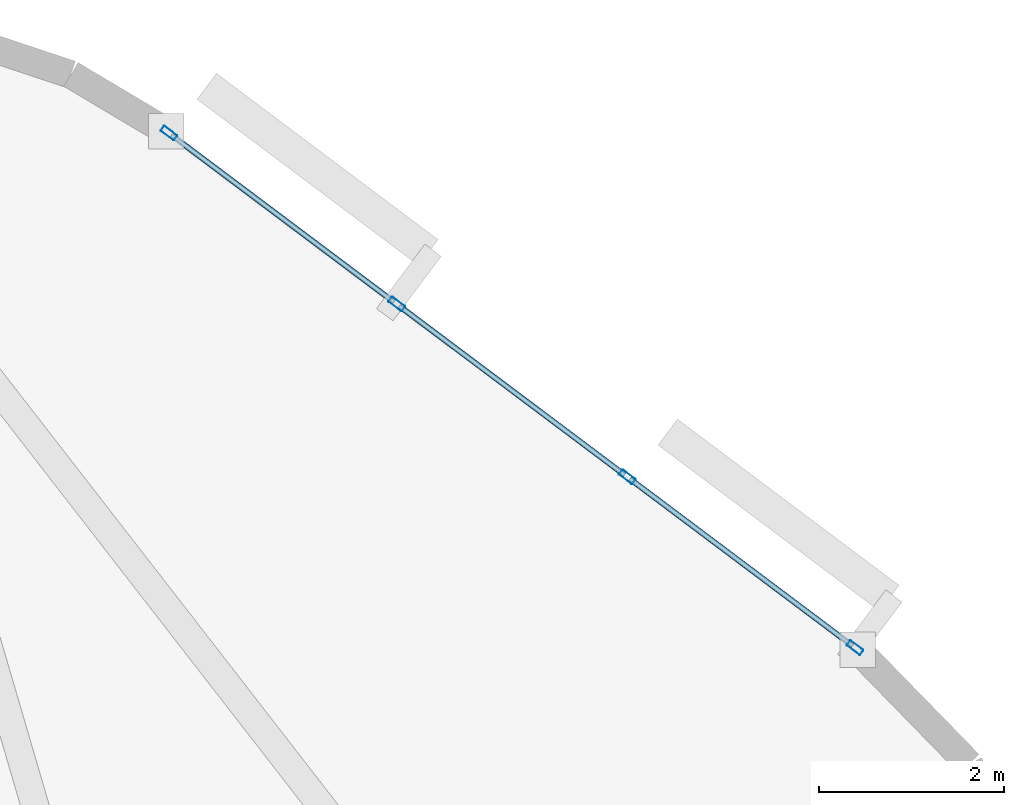
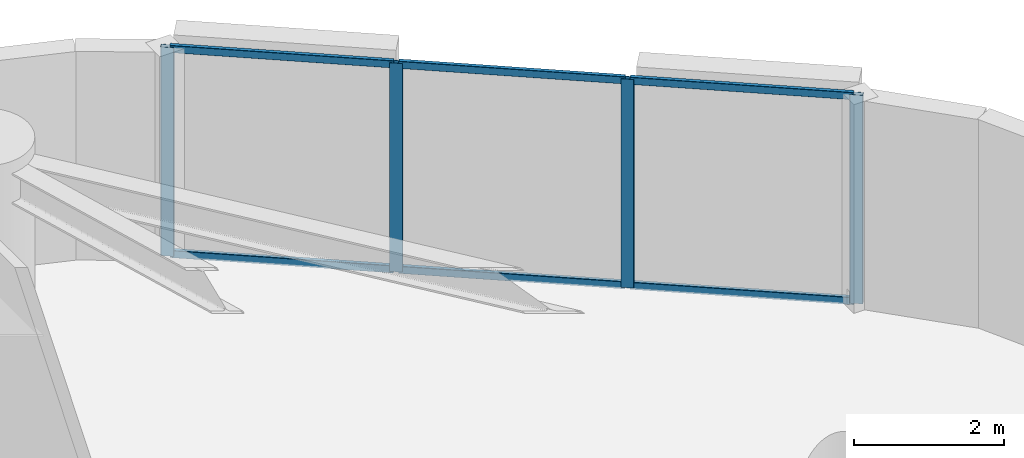
# One storey, part 8 of 15: 10 members, 1 element without a shape of its own.
"""IFC4 building model written with IfcOpenShell, lengths in metres."""

import ifcopenshell
import ifcopenshell.guid

model = None  # the IFC model being written
_history = None  # IfcOwnerHistory: only IFC2X3 demands one
_inside = {}  # id of a spatial element -> (the spatial element, [elements in it])
_under = {}  # id of a project, library or spatial element -> (it, [spatial elements below it])
_declared = {}  # id of a project -> (the project, [libraries it declares])
_typed = {}  # id of a type object -> (the type object, [elements of that type])
_made_of = {}  # id of a material, layer set ... -> (it, [elements and type objects made of it])


def new_model(schema):
    """Start an empty IFC model of exactly this schema.

    Asked for "IFC4X3", IfcOpenShell would pick the latest addendum, in which some entities
    have other attributes; the version numbers below select the first issue.
    IFC2X3 requires an IfcOwnerHistory on every rooted entity: one is made here for all.
    """
    global model, _history
    if schema == "IFC4X3":
        model = ifcopenshell.file(schema_version=(4, 3, 0, 0))
    else:
        model = ifcopenshell.file(schema=schema)
    _inside.clear()
    _under.clear()
    _declared.clear()
    _typed.clear()
    _made_of.clear()
    _history = None
    if model.schema == "IFC2X3":
        org = make("IfcOrganization", Name="unknown")
        user = make(
            "IfcPersonAndOrganization",
            ThePerson=make("IfcPerson", FamilyName="unknown"),
            TheOrganization=org,
        )
        app = make(
            "IfcApplication",
            ApplicationDeveloper=org,
            Version="unknown",
            ApplicationFullName="unknown",
            ApplicationIdentifier="unknown",
        )
        _history = make(
            "IfcOwnerHistory",
            OwningUser=user,
            OwningApplication=app,
            ChangeAction="ADDED",
            CreationDate=0,
        )
    return model


def make(cls, **values):
    """One entity of the class cls with the attributes given. An attribute that is None is left unset."""
    return model.create_entity(
        cls, **{name: value for name, value in values.items() if value is not None}
    )


def rooted(cls, **values):
    """An entity with a GlobalId (a new one), such as an element, a storey or a relation."""
    return make(cls, GlobalId=ifcopenshell.guid.new(), OwnerHistory=_history, **values)


def si_unit(unit_type, name, prefix=None):
    """IfcSIUnit, for example si_unit("LENGTHUNIT", "METRE", prefix="MILLI")."""
    return make("IfcSIUnit", UnitType=unit_type, Prefix=prefix, Name=name)


def assignment(units):
    """IfcUnitAssignment: the units of a project."""
    return None if units is None else make("IfcUnitAssignment", Units=units)


def point(xyz):
    """IfcCartesianPoint."""
    return None if xyz is None else make("IfcCartesianPoint", Coordinates=xyz)


def direction(xyz):
    """IfcDirection."""
    return None if xyz is None else make("IfcDirection", DirectionRatios=xyz)


def frame(location, z_axis=None, x_axis=None):
    """IfcAxis2Placement3D, a coordinate frame: its origin and axes. An axis left out is left unset."""
    return make(
        "IfcAxis2Placement3D",
        Location=point(location),
        Axis=direction(z_axis),
        RefDirection=direction(x_axis),
    )


def frame_2d(location, x_axis=None):
    """IfcAxis2Placement2D, a coordinate frame in the plane: its origin and x axis."""
    return make(
        "IfcAxis2Placement2D", Location=point(location), RefDirection=direction(x_axis)
    )


def origin():
    """The frame at (0, 0, 0) with its axes left unset."""
    return frame((0.0, 0.0, 0.0))


def origin_2d():
    """The frame at (0, 0) in the plane with its x axis left unset."""
    return frame_2d((0.0, 0.0))


def place(relative_to, where):
    """IfcLocalPlacement: puts the frame where relative to a parent placement (None: the world)."""
    return make(
        "IfcLocalPlacement", PlacementRelTo=relative_to, RelativePlacement=where
    )


def context(
    kind, dimensions, precision=None, world=None, true_north=None, identifier=None
):
    """IfcGeometricRepresentationContext, for example the 3D "Model" context."""
    return make(
        "IfcGeometricRepresentationContext",
        ContextIdentifier=identifier,
        ContextType=kind,
        CoordinateSpaceDimension=dimensions,
        Precision=precision,
        WorldCoordinateSystem=world,
        TrueNorth=true_north,
    )


def subcontext(parent, identifier, kind, view, scale=None):
    """IfcGeometricRepresentationSubContext, for example "Body" below "Model"."""
    return make(
        "IfcGeometricRepresentationSubContext",
        ContextIdentifier=identifier,
        ContextType=kind,
        ParentContext=parent,
        TargetScale=scale,
        TargetView=view,
    )


def project(units=None, contexts=None):
    """IfcProject with its units and contexts."""
    return rooted(
        "IfcProject",
        Name="project",
        RepresentationContexts=contexts,
        UnitsInContext=assignment(units),
    )


def spatial(cls, under=None, at=None, **own):
    """A site, building, storey or space (cls), placed at a placement, below another one or the project."""
    s = rooted(cls, ObjectPlacement=at, **own)
    if under is not None:
        _under.setdefault(under.id(), (under, []))[1].append(s)
    return s


def profile(cls, at=None, kind="AREA", **sizes):
    """A parametric profile (cls). Its sizes go by their IFC names, for example OverallWidth=200.0."""
    return make(cls, ProfileType=kind, Position=at, **sizes)


def hollow_rectangle(**sizes):
    """IfcRectangleHollowProfileDef."""
    return profile("IfcRectangleHollowProfileDef", **sizes)


def extrude(swept, where, along, depth):
    """IfcExtrudedAreaSolid: the profile swept, set in the frame where, extruded along a direction by depth."""
    return make(
        "IfcExtrudedAreaSolid",
        SweptArea=swept,
        Position=where,
        ExtrudedDirection=direction(along),
        Depth=depth,
    )


def shape(context_of_items, identifier, shape_type, items):
    """IfcShapeRepresentation: the items that make up one representation, for example the "Body"."""
    return make(
        "IfcShapeRepresentation",
        ContextOfItems=context_of_items,
        RepresentationIdentifier=identifier,
        RepresentationType=shape_type,
        Items=items,
    )


def material(Name=None, Category=None):
    """IfcMaterial."""
    return make("IfcMaterial", Name=Name, Category=Category)


def layer(
    of_material, thickness, ventilated=None, Name=None, Category=None, Priority=None
):
    """IfcMaterialLayer: one layer of a wall or slab, of a material (None: an air gap)."""
    return make(
        "IfcMaterialLayer",
        Material=of_material,
        LayerThickness=thickness,
        IsVentilated=ventilated,
        Name=Name,
        Category=Category,
        Priority=Priority,
    )


def layer_set(layers, Name=None):
    """IfcMaterialLayerSet."""
    return make("IfcMaterialLayerSet", MaterialLayers=layers, LayerSetName=Name)


def material_profile(
    of_material, cross_section, Name=None, Category=None, Priority=None
):
    """IfcMaterialProfile: a cross section and its material."""
    return make(
        "IfcMaterialProfile",
        Name=Name,
        Material=of_material,
        Profile=cross_section,
        Priority=Priority,
        Category=Category,
    )


def profile_set(profiles, Name=None, composite=None):
    """IfcMaterialProfileSet."""
    return make(
        "IfcMaterialProfileSet",
        Name=Name,
        MaterialProfiles=profiles,
        CompositeProfile=composite,
    )


def made_of(thing, what):
    """Note that an element or type object is made of a material, layer set ...; save() writes the relation."""
    if what is not None:
        _made_of.setdefault(what.id(), (what, []))[1].append(thing)
    return thing


def type_object(cls, material=None, **own):
    """A type object (cls), such as IfcWallType, which elements share."""
    return made_of(rooted(cls, **own), material)


def element(
    cls,
    number,
    at=None,
    inside=None,
    cuts=None,
    type_object=None,
    material=None,
    context=None,
    identifier="Body",
    shape_type=None,
    held_by="IfcProductDefinitionShape",
    body=None,
    shapes=None,
    **own,
):
    """One element of the class cls, such as IfcWall. Its Tag is "e" and its number.

    at: its placement. inside: the storey or other place that contains it. cuts: it is an
    opening in that element (IfcRelVoidsElement). A single representation is given by context,
    identifier, shape_type and body (its items); several are given by shapes. held_by: the class
    of the entity that holds the representations. save() writes the other relations.
    """
    e = rooted(cls, Tag="e%d" % number, ObjectPlacement=at, **own)
    if body is not None:
        shapes = [shape(context, identifier, shape_type, body)]
    if shapes is not None:
        e.Representation = make(held_by, Representations=shapes)
    if inside is not None:
        _inside.setdefault(inside.id(), (inside, []))[1].append(e)
    if cuts is not None:
        rooted(
            "IfcRelVoidsElement", RelatingBuildingElement=cuts, RelatedOpeningElement=e
        )
    if type_object is not None:
        _typed.setdefault(type_object.id(), (type_object, []))[1].append(e)
    return made_of(e, material)


def aggregate(whole, parts):
    """IfcRelAggregates: a whole, such as a stair, and the parts it consists of."""
    return rooted("IfcRelAggregates", RelatingObject=whole, RelatedObjects=parts)


def save(model, path):
    """Write the relations noted so far, then the file.

    IfcRelAggregates (storeys below a building ...), IfcRelContainedInSpatialStructure (elements
    in a storey), IfcRelDefinesByType, IfcRelAssociatesMaterial and IfcRelDeclares: one each for
    every whole, place, type object, material and project.
    """
    for whole, parts in _under.values():
        aggregate(whole, parts)
    for where, things in _inside.values():
        rooted(
            "IfcRelContainedInSpatialStructure",
            RelatedElements=things,
            RelatingStructure=where,
        )
    for kind, things in _typed.values():
        rooted("IfcRelDefinesByType", RelatedObjects=things, RelatingType=kind)
    for what, things in _made_of.values():
        rooted("IfcRelAssociatesMaterial", RelatedObjects=things, RelatingMaterial=what)
    for by, libraries in _declared.values():
        rooted("IfcRelDeclares", RelatingContext=by, RelatedDefinitions=libraries)
    model.write(path)


model = new_model("IFC4")

# Units and contexts
model_context = context("Model", 3, precision=1e-05, world=origin(), true_north=direction((0.0, 1.0)))
body_context = subcontext(model_context, "Body", "Model", "MODEL_VIEW")
ifc_project = project(units=[si_unit("LENGTHUNIT", "METRE"), si_unit("AREAUNIT", "SQUARE_METRE"), si_unit("VOLUMEUNIT", "CUBIC_METRE"), si_unit("PLANEANGLEUNIT", "RADIAN"), si_unit("MASSUNIT", "GRAM", prefix="KILO")], contexts=[model_context])

# Site, building, storey
site_placement = place(None, origin())
site = spatial("IfcSite", under=ifc_project, at=site_placement, CompositionType="ELEMENT")
building_placement = place(site_placement, origin())
building = spatial("IfcBuilding", under=site, at=building_placement, Name="An Khanh Terracotta Commons", CompositionType="ELEMENT")
storey_placement = place(building_placement, frame((0.0, 0.0, 86.300048828125)))
storey = spatial("IfcBuildingStorey", under=building, at=storey_placement, Name="L22", CompositionType="ELEMENT", Elevation=86.300048828125)

# Curtain wall, members
ifc_material = material(Name="Anodised Aluminium 6063-T6", Category="aluminium")
ifc_layer = layer(ifc_material, 0.199951171875, Name="Anodised Aluminium 6063-T6")
ifc_layer_set = layer_set([ifc_layer], Name="Anodised Aluminium 6063-T6")
curtain_wall_type = type_object("IfcCurtainWallType", Name="CW-SYS-02", PredefinedType="USERDEFINED", material=ifc_layer_set)
curtain_wall_placement = place(storey_placement, origin())
curtain_wall = element("IfcCurtainWall", 1, at=curtain_wall_placement, inside=storey, type_object=curtain_wall_type, Name="L22 CW-02 Unitised Curtain Wall CW-L22-16", ObjectType="UNITISED CURTAIN WALL", PredefinedType="USERDEFINED")
ifc_material_profile_1 = material_profile(ifc_material, hollow_rectangle(XDim=0.070068359375, YDim=0.179931640625, WallThickness=0.00390625, InnerFilletRadius=0.00390625, OuterFilletRadius=0.008056640625, at=origin_2d()), Name="RHS180x70x4")
ifc_profile_set_1 = profile_set([ifc_material_profile_1], Name="Anodised Aluminium 6063-T6")
member_type_1 = type_object("IfcMemberType", Name="CWM-RHS180x70x4", PredefinedType="MULLION", material=ifc_profile_set_1)
member_1_placement = place(storey_placement, frame((55.132080078125, 37.10107421875, 0.0), z_axis=(0.0, 0.0, 1.0), x_axis=(-0.599982857492, -0.800012856594, 0.0)))
member_1 = element("IfcMember", 2, at=member_1_placement, type_object=member_type_1, Name="CW-02 mullion 1", PredefinedType="MULLION", context=body_context, shape_type="SweptSolid", body=[
    extrude(hollow_rectangle(XDim=0.070068359375, YDim=0.179931640625, WallThickness=0.00390625, InnerFilletRadius=0.00390625, OuterFilletRadius=0.008056640625, at=origin_2d()), origin(), (0.0, 0.0, 1.0), 3.39990234375),
])
member_2_placement = place(storey_placement, frame((52.6708984375, 38.94677734375, 0.0), z_axis=(0.0, 0.0, 1.0), x_axis=(-0.599982857492, -0.800012856594, 0.0)))
member_2 = element("IfcMember", 3, at=member_2_placement, type_object=member_type_1, Name="CW-02 mullion 2", PredefinedType="MULLION", context=body_context, shape_type="SweptSolid", body=[
    extrude(hollow_rectangle(XDim=0.070068359375, YDim=0.179931640625, WallThickness=0.00390625, InnerFilletRadius=0.00390625, OuterFilletRadius=0.008056640625, at=origin_2d()), origin(), (0.0, 0.0, 1.0), 3.39990234375),
])
member_3_placement = place(storey_placement, frame((50.181884765625, 40.813232421875, 0.0), z_axis=(0.0, 0.0, 1.0), x_axis=(-0.599982857492, -0.800012856594, 0.0)))
member_3 = element("IfcMember", 4, at=member_3_placement, type_object=member_type_1, Name="CW-02 mullion 3", PredefinedType="MULLION", context=body_context, shape_type="SweptSolid", body=[
    extrude(hollow_rectangle(XDim=0.070068359375, YDim=0.179931640625, WallThickness=0.00390625, InnerFilletRadius=0.00390625, OuterFilletRadius=0.008056640625, at=origin_2d()), origin(), (0.0, 0.0, 1.0), 3.39990234375),
])
member_4_placement = place(storey_placement, frame((47.720947265625, 42.658935546875, 0.0), z_axis=(0.0, 0.0, 1.0), x_axis=(-0.599982857492, -0.800012856594, 0.0)))
member_4 = element("IfcMember", 5, at=member_4_placement, type_object=member_type_1, Name="CW-02 mullion 4", PredefinedType="MULLION", context=body_context, shape_type="SweptSolid", body=[
    extrude(hollow_rectangle(XDim=0.070068359375, YDim=0.179931640625, WallThickness=0.00390625, InnerFilletRadius=0.00390625, OuterFilletRadius=0.008056640625, at=origin_2d()), origin(), (0.0, 0.0, 1.0), 3.39990234375),
])
ifc_material_profile_2 = material_profile(ifc_material, hollow_rectangle(XDim=0.06005859375, YDim=0.1201171875, WallThickness=0.003662109375, InnerFilletRadius=0.003662109375, OuterFilletRadius=0.007080078125, at=origin_2d()), Name="RHS120x60x3.6")
ifc_profile_set_2 = profile_set([ifc_material_profile_2], Name="Anodised Aluminium 6063-T6")
member_type_2 = type_object("IfcMemberType", Name="CWT-RHS120x60x3.6", PredefinedType="USERDEFINED", material=ifc_profile_set_2)
member_5_placement = place(storey_placement, frame((55.10400390625, 37.1220703125, 0.030029296875), z_axis=(-0.800009745217, 0.599987006158, 0.0), x_axis=(-0.599987006158, -0.800009745217, 0.0)))
member_5 = element("IfcMember", 6, at=member_5_placement, type_object=member_type_2, Name="CW-02 transom 1.1", ObjectType="TRANSOM", PredefinedType="USERDEFINED", context=body_context, shape_type="SweptSolid", body=[
    extrude(hollow_rectangle(XDim=0.06005859375, YDim=0.1201171875, WallThickness=0.003662109375, InnerFilletRadius=0.003662109375, OuterFilletRadius=0.007080078125, at=origin_2d()), origin(), (0.0, 0.0, 1.0), 3.00634765625),
])
member_6_placement = place(storey_placement, frame((55.10400390625, 37.1220703125, 3.369873046875), z_axis=(-0.800009745217, 0.599987006158, 0.0), x_axis=(-0.599987006158, -0.800009745217, 0.0)))
member_6 = element("IfcMember", 7, at=member_6_placement, type_object=member_type_2, Name="CW-02 transom 1.2", ObjectType="TRANSOM", PredefinedType="USERDEFINED", context=body_context, shape_type="SweptSolid", body=[
    extrude(hollow_rectangle(XDim=0.06005859375, YDim=0.1201171875, WallThickness=0.003662109375, InnerFilletRadius=0.003662109375, OuterFilletRadius=0.007080078125, at=origin_2d()), origin(), (0.0, 0.0, 1.0), 3.00634765625),
])
member_7_placement = place(storey_placement, frame((52.64306640625, 38.9677734375, 0.030029296875), z_axis=(-0.800057796972, 0.599922929638, 0.0), x_axis=(-0.599922929638, -0.800057796972, 0.0)))
member_7 = element("IfcMember", 8, at=member_7_placement, type_object=member_type_2, Name="CW-02 transom 2.1", ObjectType="TRANSOM", PredefinedType="USERDEFINED", context=body_context, shape_type="SweptSolid", body=[
    extrude(hollow_rectangle(XDim=0.06005859375, YDim=0.1201171875, WallThickness=0.003662109375, InnerFilletRadius=0.003662109375, OuterFilletRadius=0.007080078125, at=origin_2d()), origin(), (0.0, 0.0, 1.0), 3.041259765625),
])
member_8_placement = place(storey_placement, frame((52.64306640625, 38.9677734375, 3.369873046875), z_axis=(-0.800057796972, 0.599922929638, 0.0), x_axis=(-0.599922929638, -0.800057796972, 0.0)))
member_8 = element("IfcMember", 9, at=member_8_placement, type_object=member_type_2, Name="CW-02 transom 2.2", ObjectType="TRANSOM", PredefinedType="USERDEFINED", context=body_context, shape_type="SweptSolid", body=[
    extrude(hollow_rectangle(XDim=0.06005859375, YDim=0.1201171875, WallThickness=0.003662109375, InnerFilletRadius=0.003662109375, OuterFilletRadius=0.007080078125, at=origin_2d()), origin(), (0.0, 0.0, 1.0), 3.041259765625),
])
member_9_placement = place(storey_placement, frame((50.154052734375, 40.834228515625, 0.030029296875), z_axis=(-0.800009745217, 0.599987006158, 0.0), x_axis=(-0.599987006158, -0.800009745217, 0.0)))
member_9 = element("IfcMember", 10, at=member_9_placement, type_object=member_type_2, Name="CW-02 transom 3.1", ObjectType="TRANSOM", PredefinedType="USERDEFINED", context=body_context, shape_type="SweptSolid", body=[
    extrude(hollow_rectangle(XDim=0.06005859375, YDim=0.1201171875, WallThickness=0.003662109375, InnerFilletRadius=0.003662109375, OuterFilletRadius=0.007080078125, at=origin_2d()), origin(), (0.0, 0.0, 1.0), 3.00634765625),
])
member_10_placement = place(storey_placement, frame((50.154052734375, 40.834228515625, 3.369873046875), z_axis=(-0.800009745217, 0.599987006158, 0.0), x_axis=(-0.599987006158, -0.800009745217, 0.0)))
member_10 = element("IfcMember", 11, at=member_10_placement, type_object=member_type_2, Name="CW-02 transom 3.2", ObjectType="TRANSOM", PredefinedType="USERDEFINED", context=body_context, shape_type="SweptSolid", body=[
    extrude(hollow_rectangle(XDim=0.06005859375, YDim=0.1201171875, WallThickness=0.003662109375, InnerFilletRadius=0.003662109375, OuterFilletRadius=0.007080078125, at=origin_2d()), origin(), (0.0, 0.0, 1.0), 3.00634765625),
])
aggregate(curtain_wall, [member_1, member_2, member_3, member_4, member_5, member_6, member_7, member_8, member_9, member_10])

save(model, "model.ifc")
